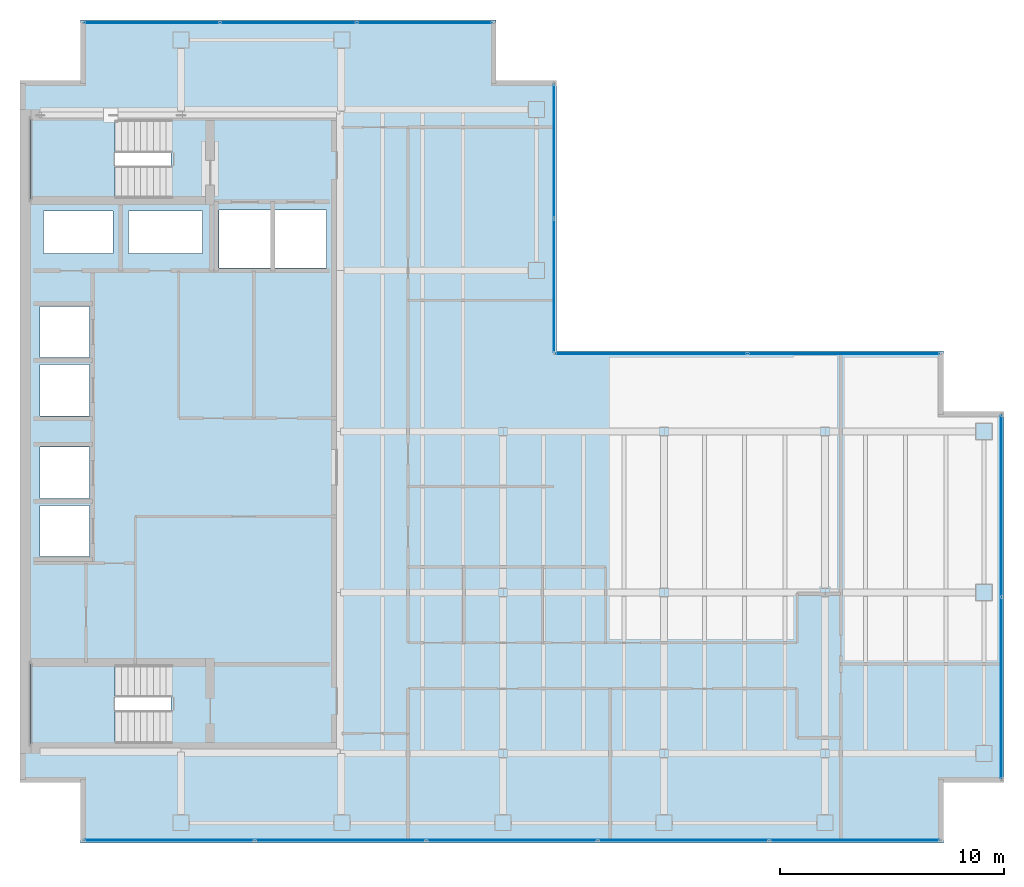
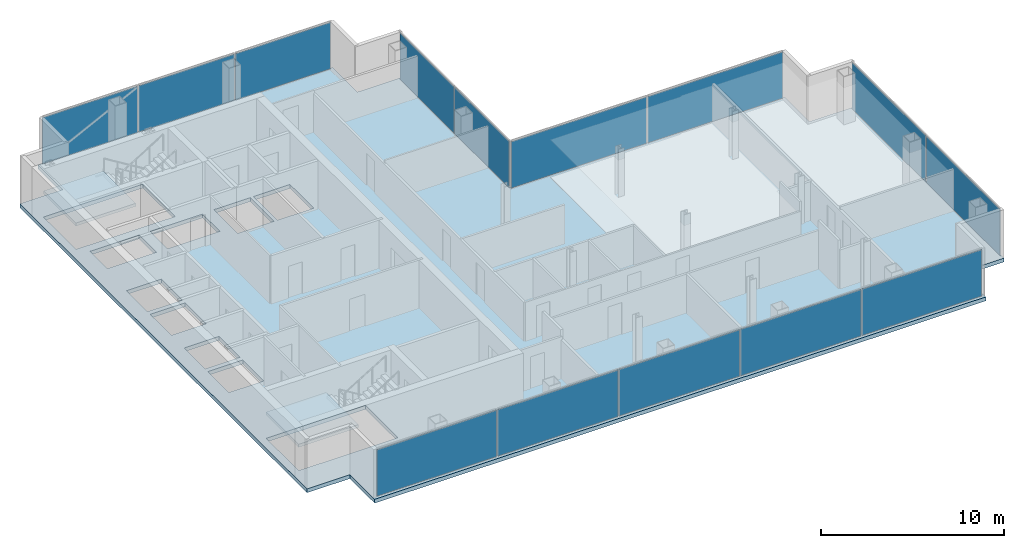
# One storey, part 19 of 23: 14 plates, 3 slabs, 10 openings, 7 elements without a shape of their own.
"""IFC4 building model written with IfcOpenShell, lengths in metres."""

from ifc_helpers import new_model, si_unit, direction, frame, origin, origin_2d, place, context, subcontext, project, spatial, polyline, rectangle, outline, extrude, material, layer, layer_set, type_object, element, aggregate, save


model = new_model("IFC4")

# Units and contexts
model_context = context("Model", 3, precision=1e-05, world=origin(), true_north=direction((0.0, 1.0)))
body_context = subcontext(model_context, "Body", "Model", "MODEL_VIEW")
ifc_project = project(units=[si_unit("LENGTHUNIT", "METRE"), si_unit("AREAUNIT", "SQUARE_METRE"), si_unit("VOLUMEUNIT", "CUBIC_METRE"), si_unit("PLANEANGLEUNIT", "RADIAN"), si_unit("MASSUNIT", "GRAM", prefix="KILO")], contexts=[model_context])

# Site, building, storey
site_placement = place(None, origin())
site = spatial("IfcSite", under=ifc_project, at=site_placement, CompositionType="ELEMENT")
building_placement = place(site_placement, origin())
building = spatial("IfcBuilding", under=site, at=building_placement, Name="Cobrela Telecom Tower", CompositionType="ELEMENT")
storey_placement = place(building_placement, frame((0.0, 0.0, 225.75)))
storey = spatial("IfcBuildingStorey", under=building, at=storey_placement, Name="L58", CompositionType="ELEMENT", Elevation=225.75)

# Curtain wall, plates
ifc_material_1 = material(Name="Anodized Bronze Aluminium 6063-T6", Category="aluminium")
curtain_wall_type = type_object("IfcCurtainWallType", Name="CW-SYS-OFF-LO", PredefinedType="USERDEFINED", material=ifc_material_1)
curtain_wall_1_placement = place(storey_placement, origin())
curtain_wall_1 = element("IfcCurtainWall", 1, at=curtain_wall_1_placement, inside=storey, type_object=curtain_wall_type, Name="L58 Unitised Bronze Curtain Wall 07", ObjectType="UNITISED CURTAIN WALL", PredefinedType="USERDEFINED")
ifc_material_2 = material(Name="Solar-Control Bronze Low-E Glass", Category="glass")
ifc_layer_1 = layer(ifc_material_2, 0.031982421875)
ifc_layer_set_1 = layer_set([ifc_layer_1], Name="Solar-Control Bronze Low-E Glass")
plate_type = type_object("IfcPlateType", Name="CW-SYS-OFF-LO-PNL", PredefinedType="CURTAIN_PANEL", material=ifc_layer_set_1)
plate_1_placement = place(storey_placement, frame((5.904052734375, 39.8798828125, 0.070068359375), z_axis=(0.0, 0.0, 1.0), x_axis=(1.0, 0.0, 0.0)))
plate_1 = element("IfcPlate", 2, at=plate_1_placement, type_object=plate_type, Name="CW-OFF-LO panel 1.1", PredefinedType="CURTAIN_PANEL", context=body_context, shape_type="SweptSolid", body=[
    extrude(rectangle(XDim=6.00830078125, YDim=0.031982421875, at=origin_2d()), origin(), (0.0, 0.0, 1.0), 3.10009765625),
])
plate_2_placement = place(storey_placement, frame((12.0, 39.8798828125, 0.070068359375), z_axis=(0.0, 0.0, 1.0), x_axis=(1.0, 0.0, 0.0)))
plate_2 = element("IfcPlate", 3, at=plate_2_placement, type_object=plate_type, Name="CW-OFF-LO panel 2.1", PredefinedType="CURTAIN_PANEL", context=body_context, shape_type="SweptSolid", body=[
    extrude(rectangle(XDim=6.043212890625, YDim=0.031982421875, at=origin_2d()), origin(), (0.0, 0.0, 1.0), 3.10009765625),
])
plate_3_placement = place(storey_placement, frame((18.095947265625, 39.8798828125, 0.070068359375), z_axis=(0.0, 0.0, 1.0), x_axis=(1.0, 0.0, 0.0)))
plate_3 = element("IfcPlate", 4, at=plate_3_placement, type_object=plate_type, Name="CW-OFF-LO panel 3.1", PredefinedType="CURTAIN_PANEL", context=body_context, shape_type="SweptSolid", body=[
    extrude(rectangle(XDim=6.00830078125, YDim=0.031982421875, at=origin_2d()), origin(), (0.0, 0.0, 1.0), 3.10009765625),
])
aggregate(curtain_wall_1, [plate_1, plate_2, plate_3])

curtain_wall_2_placement = place(storey_placement, origin())
curtain_wall_2 = element("IfcCurtainWall", 5, at=curtain_wall_2_placement, inside=storey, type_object=curtain_wall_type, Name="L58 Unitised Bronze Curtain Wall 10", ObjectType="UNITISED CURTAIN WALL", PredefinedType="USERDEFINED")
plate_4_placement = place(storey_placement, frame((23.8798828125, 34.1298828125, 0.070068359375), z_axis=(0.0, 0.0, 1.0), x_axis=(0.0, -1.0, 0.0)))
plate_4 = element("IfcPlate", 6, at=plate_4_placement, type_object=plate_type, Name="CW-OFF-LO panel 1.1", PredefinedType="CURTAIN_PANEL", context=body_context, shape_type="SweptSolid", body=[
    extrude(rectangle(XDim=5.93994140625, YDim=0.031982421875, at=origin_2d()), origin(), (0.0, 0.0, 1.0), 3.10009765625),
])
plate_5_placement = place(storey_placement, frame((23.8798828125, 28.1201171875, 0.070068359375), z_axis=(0.0, 0.0, 1.0), x_axis=(0.0, -1.0, 0.0)))
plate_5 = element("IfcPlate", 7, at=plate_5_placement, type_object=plate_type, Name="CW-OFF-LO panel 2.1", PredefinedType="CURTAIN_PANEL", context=body_context, shape_type="SweptSolid", body=[
    extrude(rectangle(XDim=5.93994140625, YDim=0.031982421875, at=origin_2d()), origin(), (0.0, 0.0, 1.0), 3.10009765625),
])
aggregate(curtain_wall_2, [plate_4, plate_5])

curtain_wall_3_placement = place(storey_placement, origin())
curtain_wall_3 = element("IfcCurtainWall", 8, at=curtain_wall_3_placement, inside=storey, type_object=curtain_wall_type, Name="L58 Unitised Bronze Curtain Wall 11", ObjectType="UNITISED CURTAIN WALL", PredefinedType="USERDEFINED")
plate_6_placement = place(storey_placement, frame((28.219970703125, 25.080078125, 0.070068359375), z_axis=(0.0, 0.0, 1.0), x_axis=(1.0, 0.0, 0.0)))
plate_6 = element("IfcPlate", 9, at=plate_6_placement, type_object=plate_type, Name="CW-OFF-LO panel 1.1", PredefinedType="CURTAIN_PANEL", context=body_context, shape_type="SweptSolid", body=[
    extrude(rectangle(XDim=8.5400390625, YDim=0.031982421875, at=origin_2d()), origin(), (0.0, 0.0, 1.0), 3.10009765625),
])
plate_7_placement = place(storey_placement, frame((36.830078125, 25.080078125, 0.070068359375), z_axis=(0.0, 0.0, 1.0), x_axis=(1.0, 0.0, 0.0)))
plate_7 = element("IfcPlate", 10, at=plate_7_placement, type_object=plate_type, Name="CW-OFF-LO panel 2.1", PredefinedType="CURTAIN_PANEL", context=body_context, shape_type="SweptSolid", body=[
    extrude(rectangle(XDim=8.5400390625, YDim=0.031982421875, at=origin_2d()), origin(), (0.0, 0.0, 1.0), 3.10009765625),
])
aggregate(curtain_wall_3, [plate_6, plate_7])

curtain_wall_4_placement = place(storey_placement, origin())
curtain_wall_4 = element("IfcCurtainWall", 11, at=curtain_wall_4_placement, inside=storey, type_object=curtain_wall_type, Name="L58 Unitised Bronze Curtain Wall 14", ObjectType="UNITISED CURTAIN WALL", PredefinedType="USERDEFINED")
plate_8_placement = place(storey_placement, frame((43.8798828125, 18.267578125, 0.070068359375), z_axis=(0.0, 0.0, 1.0), x_axis=(0.0, -1.0, 0.0)))
plate_8 = element("IfcPlate", 12, at=plate_8_placement, type_object=plate_type, Name="CW-OFF-LO panel 1.1", PredefinedType="CURTAIN_PANEL", context=body_context, shape_type="SweptSolid", body=[
    extrude(rectangle(XDim=8.06494140625, YDim=0.031982421875, at=origin_2d()), origin(), (0.0, 0.0, 1.0), 3.10009765625),
])
plate_9_placement = place(storey_placement, frame((43.8798828125, 10.132568359375, 0.070068359375), z_axis=(0.0, 0.0, 1.0), x_axis=(0.0, -1.0, 0.0)))
plate_9 = element("IfcPlate", 13, at=plate_9_placement, type_object=plate_type, Name="CW-OFF-LO panel 2.1", PredefinedType="CURTAIN_PANEL", context=body_context, shape_type="SweptSolid", body=[
    extrude(rectangle(XDim=8.06494140625, YDim=0.031982421875, at=origin_2d()), origin(), (0.0, 0.0, 1.0), 3.10009765625),
])
aggregate(curtain_wall_4, [plate_8, plate_9])

curtain_wall_5_placement = place(storey_placement, origin())
curtain_wall_5 = element("IfcCurtainWall", 14, at=curtain_wall_5_placement, inside=storey, type_object=curtain_wall_type, Name="L58 Unitised Bronze Curtain Wall 17", ObjectType="UNITISED CURTAIN WALL", PredefinedType="USERDEFINED")
plate_10_placement = place(storey_placement, frame((37.318603515625, 3.320068359375, 0.070068359375), z_axis=(0.0, 0.0, 1.0), x_axis=(-1.0, 0.0, 0.0)))
plate_10 = element("IfcPlate", 15, at=plate_10_placement, type_object=plate_type, Name="CW-OFF-LO panel 1.1", PredefinedType="CURTAIN_PANEL", context=body_context, shape_type="SweptSolid", body=[
    extrude(rectangle(XDim=7.56298828125, YDim=0.031982421875, at=origin_2d()), origin(), (0.0, 0.0, 1.0), 3.10009765625),
])
plate_11_placement = place(storey_placement, frame((29.66796875, 3.320068359375, 0.070068359375), z_axis=(0.0, 0.0, 1.0), x_axis=(-1.0, 0.0, 0.0)))
plate_11 = element("IfcPlate", 16, at=plate_11_placement, type_object=plate_type, Name="CW-OFF-LO panel 2.1", PredefinedType="CURTAIN_PANEL", context=body_context, shape_type="SweptSolid", body=[
    extrude(rectangle(XDim=7.597900390625, YDim=0.031982421875, at=origin_2d()), origin(), (0.0, 0.0, 1.0), 3.10009765625),
])
plate_12_placement = place(storey_placement, frame((22.0, 3.320068359375, 0.070068359375), z_axis=(0.0, 0.0, 1.0), x_axis=(-1.0, 0.0, 0.0)))
plate_12 = element("IfcPlate", 17, at=plate_12_placement, type_object=plate_type, Name="CW-OFF-LO panel 3.1", PredefinedType="CURTAIN_PANEL", context=body_context, shape_type="SweptSolid", body=[
    extrude(rectangle(XDim=7.597900390625, YDim=0.031982421875, at=origin_2d()), origin(), (0.0, 0.0, 1.0), 3.10009765625),
])
plate_13_placement = place(storey_placement, frame((14.33203125, 3.320068359375, 0.070068359375), z_axis=(0.0, 0.0, 1.0), x_axis=(-1.0, 0.0, 0.0)))
plate_13 = element("IfcPlate", 18, at=plate_13_placement, type_object=plate_type, Name="CW-OFF-LO panel 4.1", PredefinedType="CURTAIN_PANEL", context=body_context, shape_type="SweptSolid", body=[
    extrude(rectangle(XDim=7.597900390625, YDim=0.031982421875, at=origin_2d()), origin(), (0.0, 0.0, 1.0), 3.10009765625),
])
plate_14_placement = place(storey_placement, frame((6.681396484375, 3.320068359375, 0.070068359375), z_axis=(0.0, 0.0, 1.0), x_axis=(-1.0, 0.0, 0.0)))
plate_14 = element("IfcPlate", 19, at=plate_14_placement, type_object=plate_type, Name="CW-OFF-LO panel 5.1", PredefinedType="CURTAIN_PANEL", context=body_context, shape_type="SweptSolid", body=[
    extrude(rectangle(XDim=7.56298828125, YDim=0.031982421875, at=origin_2d()), origin(), (0.0, 0.0, 1.0), 3.10009765625),
])
aggregate(curtain_wall_5, [plate_10, plate_11, plate_12, plate_13, plate_14])

# Slab, openings
ifc_material_3 = material(Name="Concrete C40/50", Category="concrete")
ifc_layer_2 = layer(ifc_material_3, 0.260009765625)
ifc_layer_set_2 = layer_set([ifc_layer_2], Name="Concrete C40/50")
slab_type_1 = type_object("IfcSlabType", Name="SLAB-FLR-260", PredefinedType="FLOOR", material=ifc_layer_set_2)
slab_1_placement = place(storey_placement, frame((0.0, 0.0, -0.260009765625)))
slab_1 = element("IfcSlab", 20, at=slab_1_placement, inside=storey, type_object=slab_type_1, Name="L58 Structural Floor Slab", PredefinedType="FLOOR", context=body_context, shape_type="SweptSolid", body=[
    extrude(outline(polyline([(2.7099609375, 3.199951171875), (41.2900390625, 3.199951171875), (41.2900390625, 5.909912109375), (44.0, 5.909912109375), (44.0, 22.489990234375), (41.2900390625, 22.489990234375), (41.2900390625, 25.199951171875), (24.0, 25.199951171875), (24.0, 37.2900390625), (21.2900390625, 37.2900390625), (21.2900390625, 40.0), (2.7099609375, 40.0), (2.7099609375, 37.2900390625), (0.0, 37.2900390625), (0.0, 5.909912109375), (2.7099609375, 5.909912109375), (2.7099609375, 3.199951171875)])), origin(), (0.0, 0.0, 1.0), 0.260009765625),
])
opening_1_placement = place(slab_1_placement, frame((0.0, 0.0, -0.02001953125)))
element("IfcOpeningElement", 21, at=opening_1_placement, cuts=slab_1, Name="Slab Shaft Opening SLAB-L58-MAIN.1", PredefinedType="OPENING", context=body_context, shape_type="SweptSolid", body=[
    extrude(outline(polyline([(8.89990234375, 28.89990234375), (11.199951171875, 28.89990234375), (11.199951171875, 31.5), (8.89990234375, 31.5), (8.89990234375, 28.89990234375)])), origin(), (0.0, 0.0, 1.0), 0.300048828125),
])
opening_2_placement = place(slab_1_placement, frame((0.0, 0.0, -0.02001953125)))
element("IfcOpeningElement", 22, at=opening_2_placement, cuts=slab_1, Name="Slab Shaft Opening SLAB-L58-MAIN.2", PredefinedType="OPENING", context=body_context, shape_type="SweptSolid", body=[
    extrude(outline(polyline([(11.39990234375, 28.89990234375), (13.699951171875, 28.89990234375), (13.699951171875, 31.5), (11.39990234375, 31.5), (11.39990234375, 28.89990234375)])), origin(), (0.0, 0.0, 1.0), 0.300048828125),
])
opening_3_placement = place(slab_1_placement, frame((0.0, 0.0, -0.02001953125)))
element("IfcOpeningElement", 23, at=opening_3_placement, cuts=slab_1, Name="Slab Shaft Opening SLAB-L58-MAIN.3", PredefinedType="OPENING", context=body_context, shape_type="SweptSolid", body=[
    extrude(outline(polyline([(0.89990234375, 16.0), (3.10009765625, 16.0), (3.10009765625, 18.300048828125), (0.89990234375, 18.300048828125), (0.89990234375, 16.0)])), origin(), (0.0, 0.0, 1.0), 0.300048828125),
])
opening_4_placement = place(slab_1_placement, frame((0.0, 0.0, -0.02001953125)))
element("IfcOpeningElement", 24, at=opening_4_placement, cuts=slab_1, Name="Slab Shaft Opening SLAB-L58-MAIN.4", PredefinedType="OPENING", context=body_context, shape_type="SweptSolid", body=[
    extrude(outline(polyline([(0.89990234375, 18.60009765625), (3.10009765625, 18.60009765625), (3.10009765625, 20.89990234375), (0.89990234375, 20.89990234375), (0.89990234375, 18.60009765625)])), origin(), (0.0, 0.0, 1.0), 0.300048828125),
])
opening_5_placement = place(slab_1_placement, frame((0.0, 0.0, -0.02001953125)))
element("IfcOpeningElement", 25, at=opening_5_placement, cuts=slab_1, Name="Slab Shaft Opening SLAB-L58-MAIN.5", PredefinedType="OPENING", context=body_context, shape_type="SweptSolid", body=[
    extrude(outline(polyline([(0.89990234375, 22.300048828125), (3.10009765625, 22.300048828125), (3.10009765625, 24.60009765625), (0.89990234375, 24.60009765625), (0.89990234375, 22.300048828125)])), origin(), (0.0, 0.0, 1.0), 0.300048828125),
])
opening_6_placement = place(slab_1_placement, frame((0.0, 0.0, -0.02001953125)))
element("IfcOpeningElement", 26, at=opening_6_placement, cuts=slab_1, Name="Slab Shaft Opening SLAB-L58-MAIN.6", PredefinedType="OPENING", context=body_context, shape_type="SweptSolid", body=[
    extrude(outline(polyline([(0.89990234375, 24.89990234375), (3.10009765625, 24.89990234375), (3.10009765625, 27.199951171875), (0.89990234375, 27.199951171875), (0.89990234375, 24.89990234375)])), origin(), (0.0, 0.0, 1.0), 0.300048828125),
])
opening_7_placement = place(slab_1_placement, frame((0.0, 0.0, -0.02001953125)))
element("IfcOpeningElement", 27, at=opening_7_placement, cuts=slab_1, Name="Slab Shaft Opening SLAB-L58-MAIN.7", PredefinedType="OPENING", context=body_context, shape_type="SweptSolid", body=[
    extrude(outline(polyline([(1.050048828125, 29.550048828125), (4.14990234375, 29.550048828125), (4.14990234375, 31.449951171875), (1.050048828125, 31.449951171875), (1.050048828125, 29.550048828125)])), origin(), (0.0, 0.0, 1.0), 0.300048828125),
])
opening_8_placement = place(slab_1_placement, frame((0.0, 0.0, -0.02001953125)))
element("IfcOpeningElement", 28, at=opening_8_placement, cuts=slab_1, Name="Slab Shaft Opening SLAB-L58-MAIN.8", PredefinedType="OPENING", context=body_context, shape_type="SweptSolid", body=[
    extrude(outline(polyline([(4.85009765625, 29.550048828125), (8.14990234375, 29.550048828125), (8.14990234375, 31.449951171875), (4.85009765625, 31.449951171875), (4.85009765625, 29.550048828125)])), origin(), (0.0, 0.0, 1.0), 0.300048828125),
])
opening_9_placement = place(slab_1_placement, frame((0.0, 0.0, -0.02001953125)))
element("IfcOpeningElement", 29, at=opening_9_placement, cuts=slab_1, Name="Slab Shaft Opening SLAB-L58-MAIN.9", PredefinedType="OPENING", context=body_context, shape_type="SweptSolid", body=[
    extrude(outline(polyline([(6.7548828125, 35.550048828125), (0.47998046875, 35.550048828125), (0.47998046875, 32.0), (6.7548828125, 32.0), (6.7548828125, 35.550048828125)])), origin(), (0.0, 0.0, 1.0), 0.300048828125),
])
opening_10_placement = place(slab_1_placement, frame((0.0, 0.0, -0.02001953125)))
element("IfcOpeningElement", 30, at=opening_10_placement, cuts=slab_1, Name="Slab Shaft Opening SLAB-L58-MAIN.10", PredefinedType="OPENING", context=body_context, shape_type="SweptSolid", body=[
    extrude(outline(polyline([(6.7548828125, 11.199951171875), (0.47998046875, 11.199951171875), (0.47998046875, 7.64990234375), (6.7548828125, 7.64990234375), (6.7548828125, 11.199951171875)])), origin(), (0.0, 0.0, 1.0), 0.300048828125),
])

# Stair, slab
stair_type = type_object("IfcStairType", Name="STAIR-CORE", PredefinedType="HALF_TURN_STAIR", material=ifc_material_3)
stair_1_placement = place(storey_placement, origin())
stair_1 = element("IfcStair", 31, at=stair_1_placement, inside=storey, type_object=stair_type, Name="L58 Smokeproof Exit Stair ST1", PredefinedType="HALF_TURN_STAIR")
ifc_layer_3 = layer(ifc_material_3, 0.199951171875)
ifc_layer_set_3 = layer_set([ifc_layer_3], Name="Concrete C40/50")
slab_type_2 = type_object("IfcSlabType", Name="SLAB-LAND-200", PredefinedType="LANDING", material=ifc_layer_set_3)
slab_2_placement = place(storey_placement, frame((0.0, 0.0, 1.550048828125)))
slab_2 = element("IfcSlab", 32, at=slab_2_placement, type_object=slab_type_2, Name="ST1 landing 1", PredefinedType="LANDING", context=body_context, shape_type="SweptSolid", body=[
    extrude(outline(polyline([(4.2548828125, 35.550048828125), (0.47998046875, 35.550048828125), (0.47998046875, 32.0), (4.2548828125, 32.0), (4.2548828125, 35.550048828125)])), origin(), (0.0, 0.0, 1.0), 0.199951171875),
])
aggregate(stair_1, [slab_2])

stair_2_placement = place(storey_placement, origin())
stair_2 = element("IfcStair", 33, at=stair_2_placement, inside=storey, type_object=stair_type, Name="L58 Smokeproof Exit Stair ST2", PredefinedType="HALF_TURN_STAIR")
slab_3_placement = place(storey_placement, frame((0.0, 0.0, 1.550048828125)))
slab_3 = element("IfcSlab", 34, at=slab_3_placement, type_object=slab_type_2, Name="ST2 landing 1", PredefinedType="LANDING", context=body_context, shape_type="SweptSolid", body=[
    extrude(outline(polyline([(4.2548828125, 11.199951171875), (0.47998046875, 11.199951171875), (0.47998046875, 7.64990234375), (4.2548828125, 7.64990234375), (4.2548828125, 11.199951171875)])), origin(), (0.0, 0.0, 1.0), 0.199951171875),
])
aggregate(stair_2, [slab_3])

save(model, "model.ifc")
